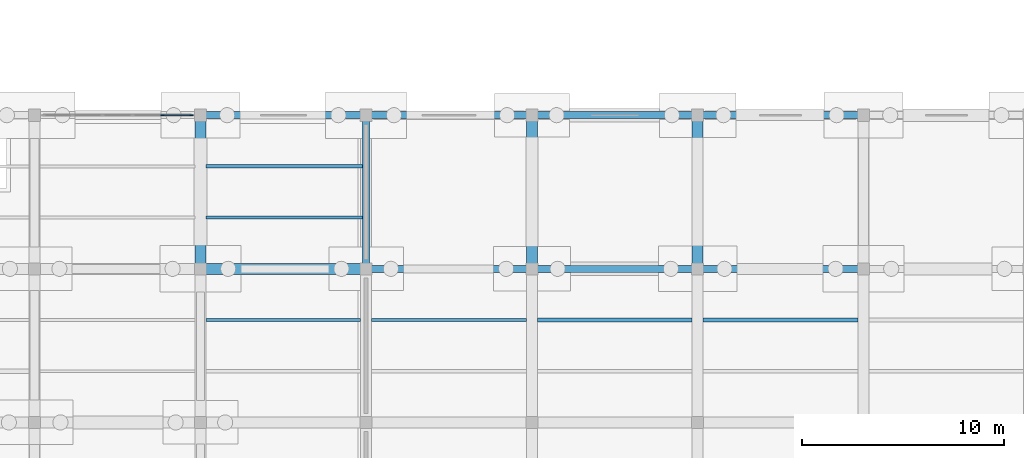
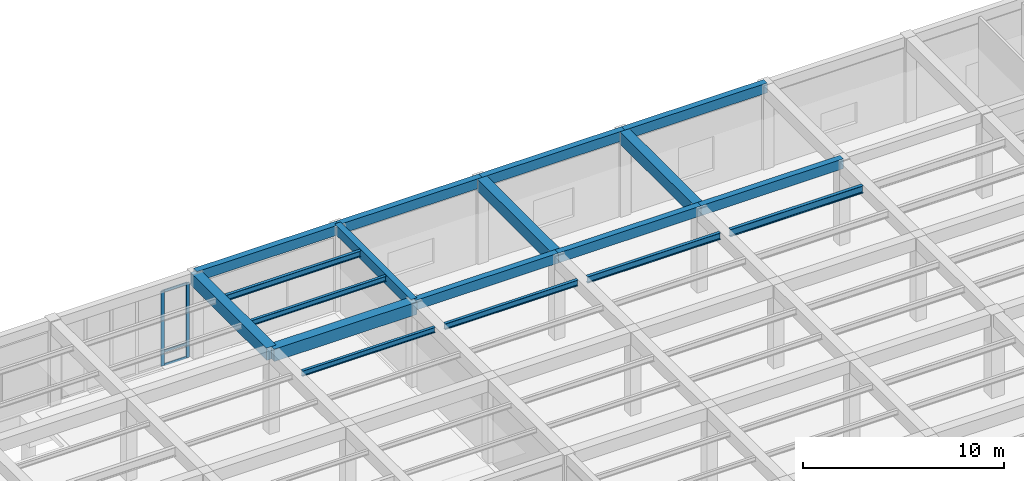
# One storey, part 30 of 64: 18 beams, 5 members, 1 element without a shape of its own.
"""IFC4 building model written with IfcOpenShell, lengths in metres."""

from ifc_helpers import new_model, si_unit, direction, frame, origin, origin_2d, place, context, subcontext, project, spatial, rectangle, i_section, extrude, material, material_profile, profile_set, type_object, element, aggregate, save


model = new_model("IFC4")

# Units and contexts
model_context = context("Model", 3, precision=1e-05, world=origin(), true_north=direction((0.0, 1.0)))
body_context = subcontext(model_context, "Body", "Model", "MODEL_VIEW")
ifc_project = project(units=[si_unit("LENGTHUNIT", "METRE"), si_unit("AREAUNIT", "SQUARE_METRE"), si_unit("VOLUMEUNIT", "CUBIC_METRE"), si_unit("PLANEANGLEUNIT", "RADIAN"), si_unit("MASSUNIT", "GRAM", prefix="KILO")], contexts=[model_context])

# Site, building, storey
site_placement = place(None, origin())
site = spatial("IfcSite", under=ifc_project, at=site_placement, CompositionType="ELEMENT")
building_placement = place(site_placement, origin())
building = spatial("IfcBuilding", under=site, at=building_placement, Name="Qandaris Square Conservatory and Botanical Centre", CompositionType="ELEMENT")
storey_placement = place(building_placement, origin())
storey = spatial("IfcBuildingStorey", under=building, at=storey_placement, Name="L00", CompositionType="ELEMENT", Elevation=0.0)

# Beams
ifc_material_1 = material(Name="Steel S355", Category="steel")
ifc_material_profile_1 = material_profile(ifc_material_1, i_section(OverallWidth=0.18994140625, OverallDepth=0.449951171875, WebThickness=0.009521484375, FlangeThickness=0.0146484375, FilletRadius=0.02099609375, at=origin_2d()), Name="IPE 450")
ifc_profile_set_1 = profile_set([ifc_material_profile_1], Name="Steel S355")
beam_type_1 = type_object("IfcBeamType", Name="Composite Archive Joist IPE 450", PredefinedType="JOIST", material=ifc_profile_set_1)
beam_1_placement = place(storey_placement, frame((131.27490234375, 105.2666015625, 4.864990234375), z_axis=(1.0, 0.0, 0.0), x_axis=(0.0, 1.0, 0.0)))
element("IfcBeam", 1, at=beam_1_placement, inside=storey, type_object=beam_type_1, Name="L00 Composite Joist 0836", PredefinedType="JOIST", context=body_context, shape_type="SweptSolid", body=[
    extrude(i_section(OverallWidth=0.18994140625, OverallDepth=0.449951171875, WebThickness=0.009521484375, FlangeThickness=0.0146484375, FilletRadius=0.02099609375, at=origin_2d()), origin(), (0.0, 0.0, 1.0), 7.650146484375),
])
ifc_material_profile_2 = material_profile(ifc_material_1, i_section(OverallWidth=0.159912109375, OverallDepth=0.330078125, WebThickness=0.007568359375, FlangeThickness=0.011474609375, FilletRadius=0.01806640625, at=origin_2d()), Name="IPE 330")
ifc_profile_set_2 = profile_set([ifc_material_profile_2], Name="Steel S355")
beam_type_2 = type_object("IfcBeamType", Name="Composite Lab Joist IPE 330", PredefinedType="JOIST", material=ifc_profile_set_2)
beam_2_placement = place(storey_placement, frame((106.675048828125, 105.2666015625, 4.925048828125), z_axis=(1.0, 0.0, 0.0), x_axis=(0.0, 1.0, 0.0)))
element("IfcBeam", 2, at=beam_2_placement, inside=storey, type_object=beam_type_2, Name="L00 Composite Joist 0762", PredefinedType="JOIST", context=body_context, shape_type="SweptSolid", body=[
    extrude(i_section(OverallWidth=0.159912109375, OverallDepth=0.330078125, WebThickness=0.007568359375, FlangeThickness=0.011474609375, FilletRadius=0.01806640625, at=origin_2d()), origin(), (0.0, 0.0, 1.0), 7.64990234375),
])
beam_3_placement = place(storey_placement, frame((106.675048828125, 110.333251953125, 4.925048828125), z_axis=(1.0, 0.0, 0.0), x_axis=(0.0, 1.0, 0.0)))
element("IfcBeam", 3, at=beam_3_placement, inside=storey, type_object=beam_type_2, Name="L00 Composite Joist 0763", PredefinedType="JOIST", context=body_context, shape_type="SweptSolid", body=[
    extrude(i_section(OverallWidth=0.159912109375, OverallDepth=0.330078125, WebThickness=0.007568359375, FlangeThickness=0.011474609375, FilletRadius=0.01806640625, at=origin_2d()), origin(), (0.0, 0.0, 1.0), 7.75),
])
ifc_material_profile_3 = material_profile(ifc_material_1, i_section(OverallWidth=0.169921875, OverallDepth=0.360107421875, WebThickness=0.008056640625, FlangeThickness=0.0126953125, FilletRadius=0.01806640625, at=origin_2d()), Name="IPE 360")
ifc_profile_set_3 = profile_set([ifc_material_profile_3], Name="Steel S355")
beam_type_3 = type_object("IfcBeamType", Name="Composite Lab Joist IPE 360", PredefinedType="JOIST", material=ifc_profile_set_3)
beam_4_placement = place(storey_placement, frame((106.675048828125, 112.86669921875, 4.909912109375), z_axis=(1.0, 0.0, 0.0), x_axis=(0.0, 1.0, 0.0)))
element("IfcBeam", 4, at=beam_4_placement, inside=storey, type_object=beam_type_3, Name="L00 Composite Joist 0764", PredefinedType="JOIST", context=body_context, shape_type="SweptSolid", body=[
    extrude(i_section(OverallWidth=0.169921875, OverallDepth=0.360107421875, WebThickness=0.008056640625, FlangeThickness=0.0126953125, FilletRadius=0.01806640625, at=origin_2d()), origin(), (0.0, 0.0, 1.0), 7.75),
])
beam_5_placement = place(storey_placement, frame((114.875, 105.2666015625, 4.909912109375), z_axis=(1.0, 0.0, 0.0), x_axis=(0.0, 1.0, 0.0)))
element("IfcBeam", 5, at=beam_5_placement, inside=storey, type_object=beam_type_3, Name="L00 Composite Joist 0788", PredefinedType="JOIST", context=body_context, shape_type="SweptSolid", body=[
    extrude(i_section(OverallWidth=0.169921875, OverallDepth=0.360107421875, WebThickness=0.008056640625, FlangeThickness=0.0126953125, FilletRadius=0.01806640625, at=origin_2d()), origin(), (0.0, 0.0, 1.0), 7.64990234375),
])
ifc_material_profile_4 = material_profile(ifc_material_1, i_section(OverallWidth=0.179931640625, OverallDepth=0.39990234375, WebThickness=0.008544921875, FlangeThickness=0.013427734375, FilletRadius=0.02099609375, at=origin_2d()), Name="IPE 400")
ifc_profile_set_4 = profile_set([ifc_material_profile_4], Name="Steel S355")
beam_type_4 = type_object("IfcBeamType", Name="Composite Plinth Joist IPE 400", PredefinedType="JOIST", material=ifc_profile_set_4)
beam_6_placement = place(storey_placement, frame((123.074951171875, 105.2666015625, 4.889892578125), z_axis=(1.0, 0.0, 0.0), x_axis=(0.0, 1.0, 0.0)))
element("IfcBeam", 6, at=beam_6_placement, inside=storey, type_object=beam_type_4, Name="L00 Composite Joist 0812", PredefinedType="JOIST", context=body_context, shape_type="SweptSolid", body=[
    extrude(i_section(OverallWidth=0.179931640625, OverallDepth=0.39990234375, WebThickness=0.008544921875, FlangeThickness=0.013427734375, FilletRadius=0.02099609375, at=origin_2d()), origin(), (0.0, 0.0, 1.0), 7.650146484375),
])

# Curtain wall, members
ifc_material_2 = material(Name="Anodised Aluminium", Category="aluminium")
curtain_wall_type = type_object("IfcCurtainWallType", Name="Unitised Curtain Wall CW-6-740x454", PredefinedType="USERDEFINED", material=ifc_material_2)
curtain_wall_placement = place(storey_placement, origin())
curtain_wall = element("IfcCurtainWall", 7, at=curtain_wall_placement, inside=storey, type_object=curtain_wall_type, Name="Curtain Wall CW-V3B-L00-3-2", ObjectType="GLAZED CURTAIN WALL", PredefinedType="USERDEFINED")
ifc_material_profile_5 = material_profile(ifc_material_2, rectangle(XDim=0.06494140625, YDim=0.179931640625, at=origin_2d()), Name="ALU-MUL 65x180")
ifc_profile_set_5 = profile_set([ifc_material_profile_5], Name="Anodised Aluminium")
member_type_1 = type_object("IfcMemberType", Name="Curtain Wall Mullion 65x180", PredefinedType="MULLION", material=ifc_profile_set_5)
member_1_placement = place(storey_placement, frame((105.967529296875, 115.39990234375, 0.0), z_axis=(0.0, 0.0, 1.0), x_axis=(0.0, -1.0, 0.0)))
member_1 = element("IfcMember", 8, at=member_1_placement, type_object=member_type_1, Name="CW-6-740x454 mullion 1", PredefinedType="MULLION", context=body_context, shape_type="SweptSolid", body=[
    extrude(rectangle(XDim=0.06494140625, YDim=0.179931640625, at=origin_2d()), origin(), (0.0, 0.0, 1.0), 4.544921875),
])
member_2_placement = place(storey_placement, frame((104.52001953125, 115.39990234375, 0.0), z_axis=(0.0, 0.0, 1.0), x_axis=(0.0, -1.0, 0.0)))
member_2 = element("IfcMember", 9, at=member_2_placement, type_object=member_type_1, Name="CW-6-740x454 mullion 2", PredefinedType="MULLION", context=body_context, shape_type="SweptSolid", body=[
    extrude(rectangle(XDim=0.06494140625, YDim=0.179931640625, at=origin_2d()), origin(), (0.0, 0.0, 1.0), 4.544921875),
])
ifc_material_profile_6 = material_profile(ifc_material_2, rectangle(XDim=0.06494140625, YDim=0.139892578125, at=origin_2d()), Name="ALU-TRN 65x140")
ifc_profile_set_6 = profile_set([ifc_material_profile_6], Name="Anodised Aluminium")
member_type_2 = type_object("IfcMemberType", Name="Curtain Wall Transom 65x140", PredefinedType="USERDEFINED", material=ifc_profile_set_6)
member_3_placement = place(storey_placement, frame((105.93505859375, 115.39990234375, 0.032470703125), z_axis=(-1.0, 0.0, 0.0), x_axis=(0.0, -1.0, 0.0)))
member_3 = element("IfcMember", 10, at=member_3_placement, type_object=member_type_2, Name="CW-6-740x454 transom 1.1", ObjectType="TRANSOM", PredefinedType="USERDEFINED", context=body_context, shape_type="SweptSolid", body=[
    extrude(rectangle(XDim=0.06494140625, YDim=0.139892578125, at=origin_2d()), origin(), (0.0, 0.0, 1.0), 1.382568359375),
])
member_4_placement = place(storey_placement, frame((105.93505859375, 115.39990234375, 0.85009765625), z_axis=(-1.0, 0.0, 0.0), x_axis=(0.0, -1.0, 0.0)))
member_4 = element("IfcMember", 11, at=member_4_placement, type_object=member_type_2, Name="CW-6-740x454 transom 1.2", ObjectType="TRANSOM", PredefinedType="USERDEFINED", context=body_context, shape_type="SweptSolid", body=[
    extrude(rectangle(XDim=0.06494140625, YDim=0.139892578125, at=origin_2d()), origin(), (0.0, 0.0, 1.0), 1.382568359375),
])
member_5_placement = place(storey_placement, frame((105.93505859375, 115.39990234375, 4.512451171875), z_axis=(-1.0, 0.0, 0.0), x_axis=(0.0, -1.0, 0.0)))
member_5 = element("IfcMember", 12, at=member_5_placement, type_object=member_type_2, Name="CW-6-740x454 transom 1.3", ObjectType="TRANSOM", PredefinedType="USERDEFINED", context=body_context, shape_type="SweptSolid", body=[
    extrude(rectangle(XDim=0.06494140625, YDim=0.139892578125, at=origin_2d()), origin(), (0.0, 0.0, 1.0), 1.382568359375),
])
aggregate(curtain_wall, [member_1, member_2, member_3, member_4, member_5])

# Beams
ifc_material_3 = material(Name="Concrete C50/60", Category="concrete")
ifc_material_profile_7 = material_profile(ifc_material_3, rectangle(XDim=0.35009765625, YDim=0.60009765625, at=origin_2d()), Name="RC-SP 350x600")
ifc_profile_set_7 = profile_set([ifc_material_profile_7], Name="Concrete C50/60")
beam_type_5 = type_object("IfcBeamType", Name="RC Edge Spandrel Beam 350x600", PredefinedType="SPANDREL", material=ifc_profile_set_7)
for number, where, z_axis, x_axis, name in (
    (13, (114.60009765625, 107.800048828125, 4.844970703125), (1.0, 0.0, 0.0), (0.0, 1.0, 0.0), "L00 Frame Beam 0477"),
    (14, (122.800048828125, 107.800048828125, 4.844970703125), (1.0, 0.0, 0.0), (0.0, 1.0, 0.0), "L00 Frame Beam 0478"),
    (15, (131.0, 107.800048828125, 4.844970703125), (1.0, 0.0, 0.0), (0.0, 1.0, 0.0), "L00 Frame Beam 0479"),
):
    element("IfcBeam", number, at=place(storey_placement, frame(where, z_axis=z_axis, x_axis=x_axis)), inside=storey, type_object=beam_type_5, Name=name, PredefinedType="SPANDREL", context=body_context, shape_type="SweptSolid", body=[
        extrude(rectangle(XDim=0.35009765625, YDim=0.60009765625, at=origin_2d()), origin(), (0.0, 0.0, 1.0), 8.199951171875),
    ])
beam_7_placement = place(storey_placement, frame((106.39990234375, 115.39990234375, 4.844970703125), z_axis=(1.0, 0.0, 0.0), x_axis=(0.0, 1.0, 0.0)))
element("IfcBeam", 16, at=beam_7_placement, inside=storey, type_object=beam_type_5, Name="L00 Frame Beam 0494", PredefinedType="SPANDREL", context=body_context, shape_type="SweptSolid", body=[
    extrude(rectangle(XDim=0.35009765625, YDim=0.60009765625, at=origin_2d()), origin(), (0.0, 0.0, 1.0), 8.2001953125),
])
for number, where, z_axis, x_axis, name in (
    (17, (114.60009765625, 115.39990234375, 4.844970703125), (1.0, 0.0, 0.0), (0.0, 1.0, 0.0), "L00 Frame Beam 0495"),
    (18, (122.800048828125, 115.39990234375, 4.844970703125), (1.0, 0.0, 0.0), (0.0, 1.0, 0.0), "L00 Frame Beam 0496"),
    (19, (131.0, 115.39990234375, 4.844970703125), (1.0, 0.0, 0.0), (0.0, 1.0, 0.0), "L00 Frame Beam 0497"),
):
    element("IfcBeam", number, at=place(storey_placement, frame(where, z_axis=z_axis, x_axis=x_axis)), inside=storey, type_object=beam_type_5, Name=name, PredefinedType="SPANDREL", context=body_context, shape_type="SweptSolid", body=[
        extrude(rectangle(XDim=0.35009765625, YDim=0.60009765625, at=origin_2d()), origin(), (0.0, 0.0, 1.0), 8.199951171875),
    ])
beam_8_placement = place(storey_placement, frame((114.60009765625, 107.800048828125, 4.844970703125), z_axis=(0.0, 1.0, 0.0), x_axis=(-1.0, 0.0, 0.0)))
element("IfcBeam", 20, at=beam_8_placement, inside=storey, type_object=beam_type_5, Name="L00 Frame Beam 0602", PredefinedType="SPANDREL", context=body_context, shape_type="SweptSolid", body=[
    extrude(rectangle(XDim=0.35009765625, YDim=0.60009765625, at=origin_2d()), origin(), (0.0, 0.0, 1.0), 7.599853515625),
])
ifc_material_profile_8 = material_profile(ifc_material_3, rectangle(XDim=0.550048828125, YDim=0.75, at=origin_2d()), Name="RC-BM 550x750")
ifc_profile_set_8 = profile_set([ifc_material_profile_8], Name="Concrete C50/60")
beam_type_6 = type_object("IfcBeamType", Name="RC Plinth Girder 550x750", PredefinedType="BEAM", material=ifc_profile_set_8)
beam_9_placement = place(storey_placement, frame((106.39990234375, 107.800048828125, 4.72509765625), z_axis=(1.0, 0.0, 0.0), x_axis=(0.0, 1.0, 0.0)))
element("IfcBeam", 21, at=beam_9_placement, inside=storey, type_object=beam_type_6, Name="L00 Frame Beam 0476", PredefinedType="BEAM", context=body_context, shape_type="SweptSolid", body=[
    extrude(rectangle(XDim=0.550048828125, YDim=0.75, at=origin_2d()), origin(), (0.0, 0.0, 1.0), 8.2001953125),
])
for number, where, z_axis, x_axis, name in (
    (22, (106.39990234375, 107.800048828125, 4.72509765625), (0.0, 1.0, 0.0), (-1.0, 0.0, 0.0), "L00 Frame Beam 0588"),
    (23, (122.800048828125, 107.800048828125, 4.77001953125), (0.0, 1.0, 0.0), (-1.0, 0.0, 0.0), "L00 Frame Beam 0616"),
    (24, (131.0, 107.800048828125, 4.77001953125), (0.0, 1.0, 0.0), (-1.0, 0.0, 0.0), "L00 Frame Beam 0630"),
):
    element("IfcBeam", number, at=place(storey_placement, frame(where, z_axis=z_axis, x_axis=x_axis)), inside=storey, type_object=beam_type_6, Name=name, PredefinedType="BEAM", context=body_context, shape_type="SweptSolid", body=[
        extrude(rectangle(XDim=0.550048828125, YDim=0.75, at=origin_2d()), origin(), (0.0, 0.0, 1.0), 7.599853515625),
    ])

save(model, "model.ifc")
